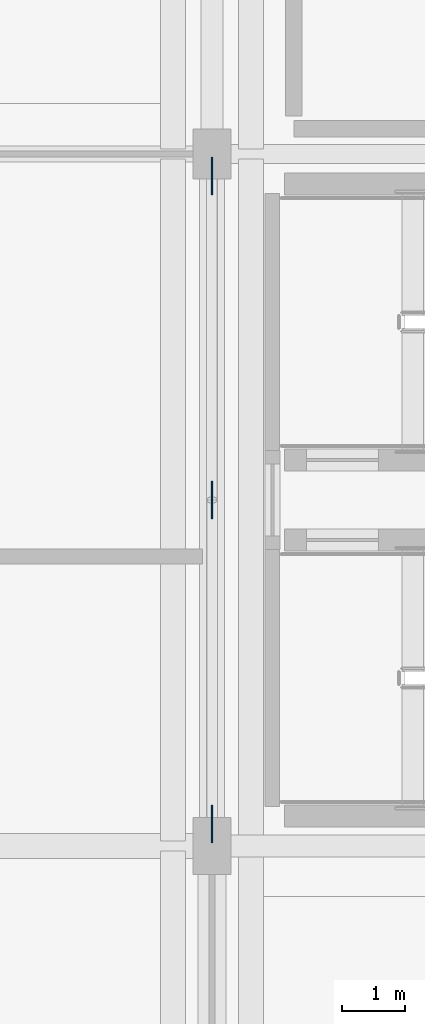
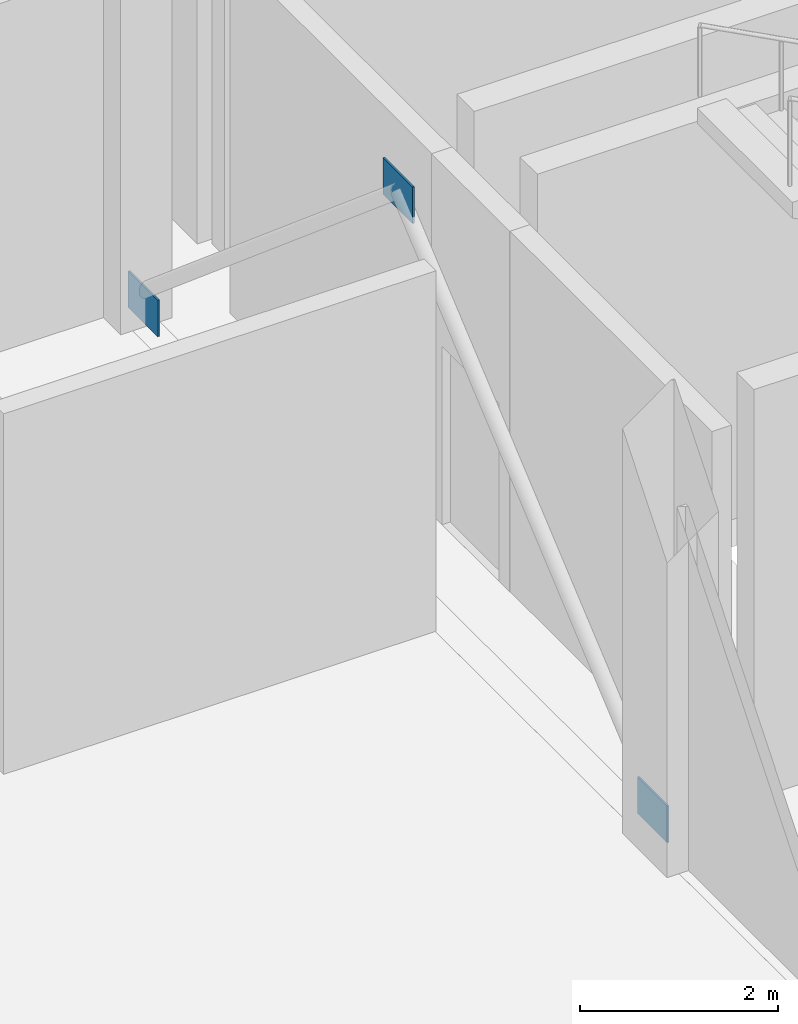
# One storey, part 52 of 120: 3 plates.
"""IFC4 building model written with IfcOpenShell, lengths in metres."""

from ifc_helpers import new_model, si_unit, direction, frame, origin, origin_2d, place, context, subcontext, project, spatial, rectangle, extrude, material, layer, layer_set, type_object, element, save


model = new_model("IFC4")

# Units and contexts
model_context = context("Model", 3, precision=1e-05, world=origin(), true_north=direction((0.0, 1.0)))
body_context = subcontext(model_context, "Body", "Model", "MODEL_VIEW")
ifc_project = project(units=[si_unit("LENGTHUNIT", "METRE"), si_unit("AREAUNIT", "SQUARE_METRE"), si_unit("VOLUMEUNIT", "CUBIC_METRE"), si_unit("PLANEANGLEUNIT", "RADIAN"), si_unit("MASSUNIT", "GRAM", prefix="KILO")], contexts=[model_context])

# Site, building, storey
site_placement = place(None, origin())
site = spatial("IfcSite", under=ifc_project, at=site_placement, CompositionType="ELEMENT")
building_placement = place(site_placement, origin())
building = spatial("IfcBuilding", under=site, at=building_placement, Name="Luwafu Chhajja Arena", CompositionType="ELEMENT")
storey_placement = place(building_placement, origin())
storey = spatial("IfcBuildingStorey", under=building, at=storey_placement, Name="L00", CompositionType="ELEMENT", Elevation=0.0)

# Plates
ifc_material = material(Name="Steel S355", Category="steel")
ifc_layer = layer(ifc_material, 0.02197265625, Name="Steel S355")
ifc_layer_set = layer_set([ifc_layer], Name="Steel S355")
plate_type = type_object("IfcPlateType", Name="Lateral Brace Gusset Plate BN-1", PredefinedType="USERDEFINED", material=ifc_layer_set)
for number, where, z_axis, x_axis, name in (
    (1, (34.0, 82.5, 4.544921875), (0.0, 0.0, 1.0), (1.0, 0.0, 0.0), "L00 Chevron Apex Gusset Plate BN-1 12"),
    (2, (34.0, 77.35009765625, 0.02490234375), (0.0, 0.0, 1.0), (1.0, 0.0, 0.0), "L00 Brace Base Gusset BN-1 12A"),
    (3, (34.0, 87.64990234375, 0.02490234375), (0.0, 0.0, 1.0), (1.0, 0.0, 0.0), "L00 Brace Base Gusset BN-1 12B"),
):
    element("IfcPlate", number, at=place(storey_placement, frame(where, z_axis=z_axis, x_axis=x_axis)), inside=storey, type_object=plate_type, Name=name, ObjectType="GUSSET PLATE", PredefinedType="USERDEFINED", context=body_context, shape_type="SweptSolid", body=[
        extrude(rectangle(XDim=0.02197265625, YDim=0.60009765625, at=origin_2d()), origin(), (0.0, 0.0, 1.0), 0.449951171875),
    ])

save(model, "model.ifc")
